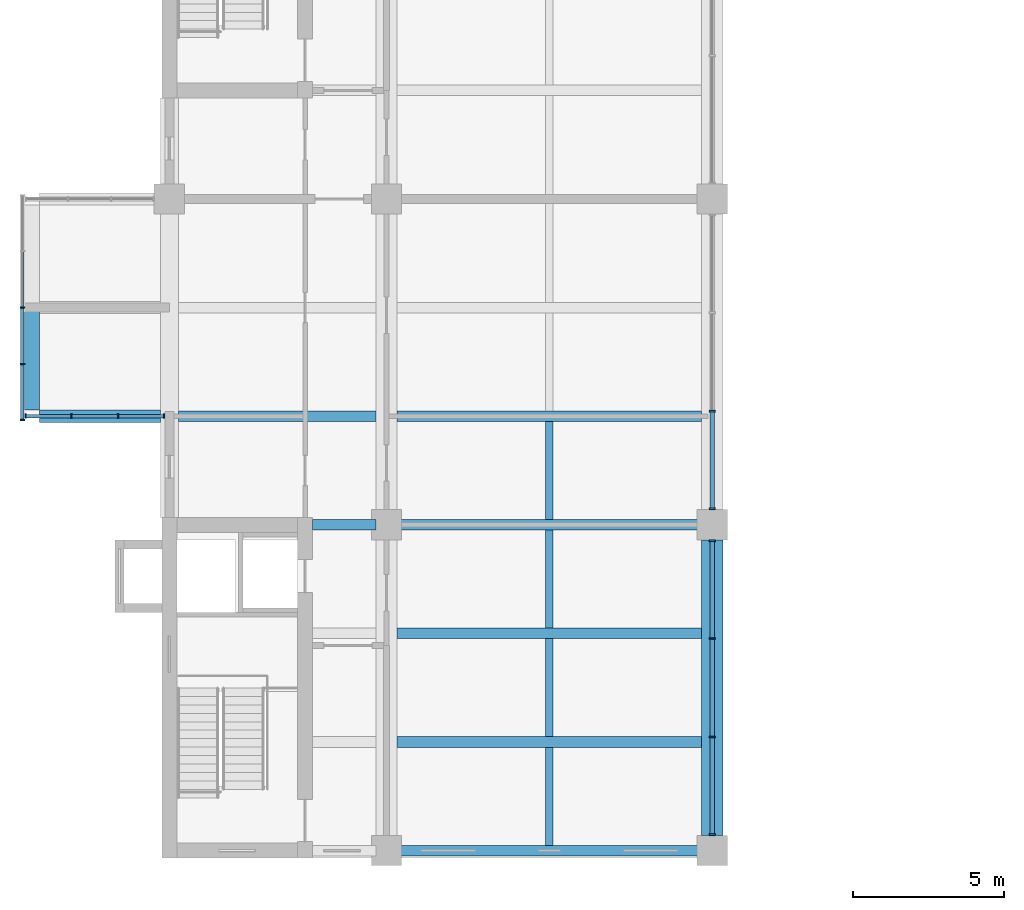
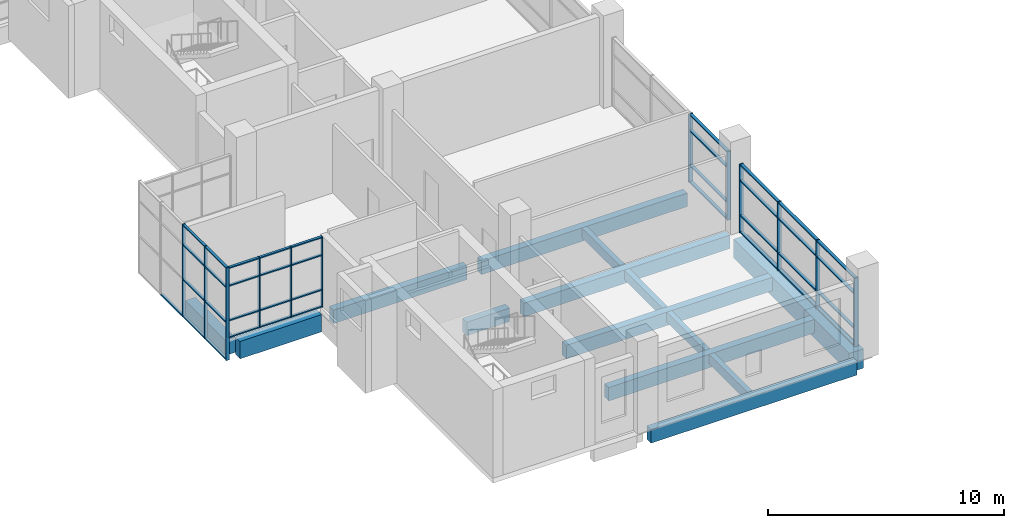
# One storey, part 2 of 35: 50 members, 14 beams, 4 elements without a shape of their own.
"""IFC4 building model written with IfcOpenShell, lengths in metres."""

from ifc_helpers import new_model, si_unit, direction, frame, origin, origin_2d, place, context, subcontext, project, spatial, rectangle, extrude, material, layer, layer_set, material_profile, profile_set, type_object, element, aggregate, save


model = new_model("IFC4")

# Units and contexts
model_context = context("Model", 3, precision=1e-05, world=origin(), true_north=direction((0.0, 1.0)))
body_context = subcontext(model_context, "Body", "Model", "MODEL_VIEW")
ifc_project = project(units=[si_unit("LENGTHUNIT", "METRE"), si_unit("AREAUNIT", "SQUARE_METRE"), si_unit("VOLUMEUNIT", "CUBIC_METRE"), si_unit("PLANEANGLEUNIT", "RADIAN"), si_unit("MASSUNIT", "GRAM", prefix="KILO")], contexts=[model_context])

# Site, building, storey
site_placement = place(None, origin())
site = spatial("IfcSite", under=ifc_project, at=site_placement, CompositionType="ELEMENT")
building_placement = place(site_placement, origin())
building = spatial("IfcBuilding", under=site, at=building_placement, Name="Basin Gate Institute", CompositionType="ELEMENT")
storey_placement = place(building_placement, frame((0.0, 0.0, 31.800048828125)))
storey = spatial("IfcBuildingStorey", under=building, at=storey_placement, Name="L06", CompositionType="ELEMENT", Elevation=31.800048828125)

# Beams
ifc_material_1 = material(Name="Concrete 40 MPa", Category="concrete")
ifc_material_profile_1 = material_profile(ifc_material_1, rectangle(XDim=0.35009765625, YDim=0.699951171875, at=origin_2d()), Name="Beam B1 350 x 700")
ifc_profile_set_1 = profile_set([ifc_material_profile_1], Name="Concrete 40 MPa")
beam_type_1 = type_object("IfcBeamType", Name="Beam B1 R120", PredefinedType="BEAM", material=ifc_profile_set_1)
for number, where, z_axis, x_axis, name in (
    (1, (68.75, 35.10009765625, -0.60009765625), (1.0, 0.0, 0.0), (0.0, 1.0, 0.0), "BEAM/L06/W/EW/01"),
    (2, (68.75, 38.699951171875, -0.60009765625), (1.0, 0.0, 0.0), (0.0, 1.0, 0.0), "BEAM/L06/W/EW/02"),
    (3, (68.75, 42.300048828125, -0.60009765625), (1.0, 0.0, 0.0), (0.0, 1.0, 0.0), "BEAM/L06/W/EW/03"),
    (4, (68.75, 45.89990234375, -0.60009765625), (1.0, 0.0, 0.0), (0.0, 1.0, 0.0), "BEAM/L06/W/EW/04"),
):
    element("IfcBeam", number, at=place(storey_placement, frame(where, z_axis=z_axis, x_axis=x_axis)), inside=storey, type_object=beam_type_1, material=ifc_profile_set_1, Name=name, PredefinedType="BEAM", context=body_context, shape_type="SweptSolid", body=[
        extrude(rectangle(XDim=0.35009765625, YDim=0.699951171875, at=origin_2d()), origin(), (0.0, 0.0, 1.0), 10.10009765625),
    ])
beam_1_placement = place(storey_placement, frame((65.949951171875, 45.89990234375, -0.60009765625), z_axis=(1.0, 0.0, 0.0), x_axis=(0.0, 1.0, 0.0)))
element("IfcBeam", 5, at=beam_1_placement, inside=storey, type_object=beam_type_1, material=ifc_profile_set_1, Name="BEAM/L06/W/CORR/04", PredefinedType="BEAM", context=body_context, shape_type="SweptSolid", body=[
    extrude(rectangle(XDim=0.35009765625, YDim=0.699951171875, at=origin_2d()), origin(), (0.0, 0.0, 1.0), 2.10009765625),
])
beam_2_placement = place(storey_placement, frame((68.75, 49.5, -0.60009765625), z_axis=(1.0, 0.0, 0.0), x_axis=(0.0, 1.0, 0.0)))
element("IfcBeam", 6, at=beam_2_placement, inside=storey, type_object=beam_type_1, material=ifc_profile_set_1, Name="BEAM/L06/W/EW/05", PredefinedType="BEAM", context=body_context, shape_type="SweptSolid", body=[
    extrude(rectangle(XDim=0.35009765625, YDim=0.699951171875, at=origin_2d()), origin(), (0.0, 0.0, 1.0), 10.10009765625),
])
beam_3_placement = place(storey_placement, frame((61.5, 49.5, -0.60009765625), z_axis=(1.0, 0.0, 0.0), x_axis=(0.0, 1.0, 0.0)))
element("IfcBeam", 7, at=beam_3_placement, inside=storey, type_object=beam_type_1, material=ifc_profile_set_1, Name="BEAM/L06/W/OUT/05", PredefinedType="BEAM", context=body_context, shape_type="SweptSolid", body=[
    extrude(rectangle(XDim=0.35009765625, YDim=0.699951171875, at=origin_2d()), origin(), (0.0, 0.0, 1.0), 6.550048828125),
])
ifc_material_2 = material(Name="Concrete 50 MPa", Category="concrete")
ifc_material_profile_2 = material_profile(ifc_material_2, rectangle(XDim=0.39990234375, YDim=0.89990234375, at=origin_2d()), Name="Cantilever beam B3 400 x 900")
ifc_profile_set_2 = profile_set([ifc_material_profile_2], Name="Concrete 50 MPa")
beam_type_2 = type_object("IfcBeamType", Name="Cantilever beam B3 R120", PredefinedType="BEAM", material=ifc_profile_set_2)
beam_4_placement = place(storey_placement, frame((56.89990234375, 49.5, -0.699951171875), z_axis=(1.0, 0.0, 0.0), x_axis=(0.0, 1.0, 0.0)))
element("IfcBeam", 8, at=beam_4_placement, inside=storey, type_object=beam_type_2, material=ifc_profile_set_2, Name="BEAM/L06/W/CANT/05", PredefinedType="BEAM", context=body_context, shape_type="SweptSolid", body=[
    extrude(rectangle(XDim=0.39990234375, YDim=0.89990234375, at=origin_2d()), origin(), (0.0, 0.0, 1.0), 4.0),
])
ifc_material_3 = material(Name="Concrete 50 MPa", Category="concrete")
ifc_material_profile_3 = material_profile(ifc_material_3, rectangle(XDim=0.699951171875, YDim=1.0, at=origin_2d()), Name="Girder G1 700 x 1000")
ifc_profile_set_3 = profile_set([ifc_material_profile_3], Name="Concrete 50 MPa")
beam_type_3 = type_object("IfcBeamType", Name="Girder G1 R120", PredefinedType="BEAM", material=ifc_profile_set_3)
beam_5_placement = place(storey_placement, frame((79.199951171875, 35.60009765625, -0.75), z_axis=(0.0, 1.0, 0.0), x_axis=(-1.0, 0.0, 0.0)))
element("IfcBeam", 9, at=beam_5_placement, inside=storey, type_object=beam_type_3, material=ifc_profile_set_3, Name="GIR/L06/W6/1", PredefinedType="BEAM", context=body_context, shape_type="SweptSolid", body=[
    extrude(rectangle(XDim=0.699951171875, YDim=1.0, at=origin_2d()), origin(), (0.0, 0.0, 1.0), 9.7998046875),
])

# Curtain wall, members
ifc_material_4 = material(Name="Aluminium-framed glazing", Category="aluminium")
ifc_layer_1 = layer(ifc_material_4, 0.14990234375)
ifc_layer_set_1 = layer_set([ifc_layer_1], Name="Capsule front curtain wall CW1")
curtain_wall_type_1 = type_object("IfcCurtainWallType", Name="Capsule front curtain wall CW1", PredefinedType="NOTDEFINED", material=ifc_layer_set_1)
curtain_wall_1_placement = place(storey_placement, origin())
curtain_wall_1 = element("IfcCurtainWall", 10, at=curtain_wall_1_placement, inside=storey, type_object=curtain_wall_type_1, material=ifc_layer_set_1, Name="Capsule front curtain wall W wing capsule end L06 line 5", PredefinedType="NOTDEFINED")
ifc_material_5 = material(Name="Aluminium", Category="aluminium")
ifc_material_profile_4 = material_profile(ifc_material_5, rectangle(XDim=0.14990234375, YDim=0.050048828125, at=origin_2d()), Name="Mullion MU1 150 x 50")
ifc_profile_set_4 = profile_set([ifc_material_profile_4], Name="Aluminium")
member_type_1 = type_object("IfcMemberType", Name="Mullion MU1", PredefinedType="MULLION", material=ifc_profile_set_4)
member_1_placement = place(storey_placement, frame((56.425048828125, 49.5, 0.0), z_axis=(0.0, 0.0, 1.0), x_axis=(0.0, 1.0, 0.0)))
member_1 = element("IfcMember", 11, at=member_1_placement, type_object=member_type_1, material=ifc_profile_set_4, Name="CW1 mullion 1", PredefinedType="MULLION", context=body_context, shape_type="SweptSolid", body=[
    extrude(rectangle(XDim=0.14990234375, YDim=0.050048828125, at=origin_2d()), origin(), (0.0, 0.0, 1.0), 3.64990234375),
])
member_2_placement = place(storey_placement, frame((57.949951171875, 49.5, 0.0), z_axis=(0.0, 0.0, 1.0), x_axis=(0.0, 1.0, 0.0)))
member_2 = element("IfcMember", 12, at=member_2_placement, type_object=member_type_1, material=ifc_profile_set_4, Name="CW1 mullion 2", PredefinedType="MULLION", context=body_context, shape_type="SweptSolid", body=[
    extrude(rectangle(XDim=0.14990234375, YDim=0.050048828125, at=origin_2d()), origin(), (0.0, 0.0, 1.0), 3.64990234375),
])
member_3_placement = place(storey_placement, frame((59.5, 49.5, 0.0), z_axis=(0.0, 0.0, 1.0), x_axis=(0.0, 1.0, 0.0)))
member_3 = element("IfcMember", 13, at=member_3_placement, type_object=member_type_1, material=ifc_profile_set_4, Name="CW1 mullion 3", PredefinedType="MULLION", context=body_context, shape_type="SweptSolid", body=[
    extrude(rectangle(XDim=0.14990234375, YDim=0.050048828125, at=origin_2d()), origin(), (0.0, 0.0, 1.0), 3.64990234375),
])
member_4_placement = place(storey_placement, frame((61.02490234375, 49.5, 0.0), z_axis=(0.0, 0.0, 1.0), x_axis=(0.0, 1.0, 0.0)))
member_4 = element("IfcMember", 14, at=member_4_placement, type_object=member_type_1, material=ifc_profile_set_4, Name="CW1 mullion 4", PredefinedType="MULLION", context=body_context, shape_type="SweptSolid", body=[
    extrude(rectangle(XDim=0.14990234375, YDim=0.050048828125, at=origin_2d()), origin(), (0.0, 0.0, 1.0), 3.64990234375),
])

curtain_wall_2_placement = place(storey_placement, origin())
curtain_wall_2 = element("IfcCurtainWall", 15, at=curtain_wall_2_placement, inside=storey, type_object=curtain_wall_type_1, material=ifc_layer_set_1, Name="Capsule front curtain wall W wing capsule 1 L06 front 2", PredefinedType="NOTDEFINED")
member_5_placement = place(storey_placement, frame((56.324951171875, 49.375, -1.050048828125), z_axis=(0.0, 0.0, 1.0), x_axis=(-1.0, 0.0, 0.0)))
member_5 = element("IfcMember", 16, at=member_5_placement, type_object=member_type_1, material=ifc_profile_set_4, Name="CW1 mullion 1", PredefinedType="MULLION", context=body_context, shape_type="SweptSolid", body=[
    extrude(rectangle(XDim=0.14990234375, YDim=0.050048828125, at=origin_2d()), origin(), (0.0, 0.0, 1.0), 4.800048828125),
])
member_6_placement = place(storey_placement, frame((56.324951171875, 51.22509765625, -1.050048828125), z_axis=(0.0, 0.0, 1.0), x_axis=(-1.0, 0.0, 0.0)))
member_6 = element("IfcMember", 17, at=member_6_placement, type_object=member_type_1, material=ifc_profile_set_4, Name="CW1 mullion 2", PredefinedType="MULLION", context=body_context, shape_type="SweptSolid", body=[
    extrude(rectangle(XDim=0.14990234375, YDim=0.050048828125, at=origin_2d()), origin(), (0.0, 0.0, 1.0), 4.800048828125),
])
member_7_placement = place(storey_placement, frame((56.324951171875, 53.10009765625, -1.050048828125), z_axis=(0.0, 0.0, 1.0), x_axis=(-1.0, 0.0, 0.0)))
member_7 = element("IfcMember", 18, at=member_7_placement, type_object=member_type_1, material=ifc_profile_set_4, Name="CW1 mullion 3", PredefinedType="MULLION", context=body_context, shape_type="SweptSolid", body=[
    extrude(rectangle(XDim=0.14990234375, YDim=0.050048828125, at=origin_2d()), origin(), (0.0, 0.0, 1.0), 4.800048828125),
])

ifc_material_6 = material(Name="Aluminium-framed glazing", Category="aluminium")
ifc_layer_2 = layer(ifc_material_6, 0.199951171875)
ifc_layer_set_2 = layer_set([ifc_layer_2], Name="Atrium curtain wall CW2")
curtain_wall_type_2 = type_object("IfcCurtainWallType", Name="Atrium curtain wall CW2", PredefinedType="NOTDEFINED", material=ifc_layer_set_2)
curtain_wall_3_placement = place(storey_placement, origin())
curtain_wall_3 = element("IfcCurtainWall", 19, at=curtain_wall_3_placement, inside=storey, type_object=curtain_wall_type_2, material=ifc_layer_set_2, Name="Atrium curtain wall W wing atrium bay 1 L06", PredefinedType="NOTDEFINED")
ifc_material_7 = material(Name="Aluminium", Category="aluminium")
ifc_material_profile_5 = material_profile(ifc_material_7, rectangle(XDim=0.199951171875, YDim=0.06005859375, at=origin_2d()), Name="Mullion MU2 200 x 60")
ifc_profile_set_5 = profile_set([ifc_material_profile_5], Name="Aluminium")
member_type_2 = type_object("IfcMemberType", Name="Mullion MU2", PredefinedType="MULLION", material=ifc_profile_set_5)
member_8_placement = place(storey_placement, frame((79.199951171875, 35.6298828125, 0.0), z_axis=(0.0, 0.0, 1.0), x_axis=(-1.0, 0.0, 0.0)))
member_8 = element("IfcMember", 20, at=member_8_placement, type_object=member_type_2, material=ifc_profile_set_5, Name="CW2 mullion 1", PredefinedType="MULLION", context=body_context, shape_type="SweptSolid", body=[
    extrude(rectangle(XDim=0.199951171875, YDim=0.06005859375, at=origin_2d()), origin(), (0.0, 0.0, 1.0), 3.550048828125),
])
member_9_placement = place(storey_placement, frame((79.199951171875, 38.86669921875, 0.0), z_axis=(0.0, 0.0, 1.0), x_axis=(-1.0, 0.0, 0.0)))
member_9 = element("IfcMember", 21, at=member_9_placement, type_object=member_type_2, material=ifc_profile_set_5, Name="CW2 mullion 2", PredefinedType="MULLION", context=body_context, shape_type="SweptSolid", body=[
    extrude(rectangle(XDim=0.199951171875, YDim=0.06005859375, at=origin_2d()), origin(), (0.0, 0.0, 1.0), 3.550048828125),
])
member_10_placement = place(storey_placement, frame((79.199951171875, 42.13330078125, 0.0), z_axis=(0.0, 0.0, 1.0), x_axis=(-1.0, 0.0, 0.0)))
member_10 = element("IfcMember", 22, at=member_10_placement, type_object=member_type_2, material=ifc_profile_set_5, Name="CW2 mullion 3", PredefinedType="MULLION", context=body_context, shape_type="SweptSolid", body=[
    extrude(rectangle(XDim=0.199951171875, YDim=0.06005859375, at=origin_2d()), origin(), (0.0, 0.0, 1.0), 3.550048828125),
])
member_11_placement = place(storey_placement, frame((79.199951171875, 45.3701171875, 0.0), z_axis=(0.0, 0.0, 1.0), x_axis=(-1.0, 0.0, 0.0)))
member_11 = element("IfcMember", 23, at=member_11_placement, type_object=member_type_2, material=ifc_profile_set_5, Name="CW2 mullion 4", PredefinedType="MULLION", context=body_context, shape_type="SweptSolid", body=[
    extrude(rectangle(XDim=0.199951171875, YDim=0.06005859375, at=origin_2d()), origin(), (0.0, 0.0, 1.0), 3.550048828125),
])

curtain_wall_4_placement = place(storey_placement, origin())
curtain_wall_4 = element("IfcCurtainWall", 24, at=curtain_wall_4_placement, inside=storey, type_object=curtain_wall_type_2, material=ifc_layer_set_2, Name="Atrium curtain wall W wing atrium bay 2 L06", PredefinedType="NOTDEFINED")
member_12_placement = place(storey_placement, frame((79.199951171875, 46.429931640625, 0.0), z_axis=(0.0, 0.0, 1.0), x_axis=(-1.0, 0.0, 0.0)))
member_12 = element("IfcMember", 25, at=member_12_placement, type_object=member_type_2, material=ifc_profile_set_5, Name="CW2 mullion 1", PredefinedType="MULLION", context=body_context, shape_type="SweptSolid", body=[
    extrude(rectangle(XDim=0.199951171875, YDim=0.06005859375, at=origin_2d()), origin(), (0.0, 0.0, 1.0), 3.550048828125),
])
member_13_placement = place(storey_placement, frame((79.199951171875, 49.666748046875, 0.0), z_axis=(0.0, 0.0, 1.0), x_axis=(-1.0, 0.0, 0.0)))
member_13 = element("IfcMember", 26, at=member_13_placement, type_object=member_type_2, material=ifc_profile_set_5, Name="CW2 mullion 2", PredefinedType="MULLION", context=body_context, shape_type="SweptSolid", body=[
    extrude(rectangle(XDim=0.199951171875, YDim=0.06005859375, at=origin_2d()), origin(), (0.0, 0.0, 1.0), 3.550048828125),
])

# Beams
ifc_material_8 = material(Name="Concrete 40 MPa", Category="concrete")
ifc_material_profile_6 = material_profile(ifc_material_8, rectangle(XDim=0.25, YDim=0.5, at=origin_2d()), Name="Rib R1 250 x 500")
ifc_profile_set_6 = profile_set([ifc_material_profile_6], Name="Concrete 40 MPa")
beam_type_4 = type_object("IfcBeamType", Name="Rib R1 R120", PredefinedType="JOIST", material=ifc_profile_set_6)
for number, where, z_axis, x_axis, name in (
    (27, (73.800048828125, 35.27490234375, -0.5), (0.0, 1.0, 0.0), (-1.0, 0.0, 0.0), "BEAM/L06/W/RIB/01"),
    (28, (73.800048828125, 38.875, -0.5), (0.0, 1.0, 0.0), (-1.0, 0.0, 0.0), "BEAM/L06/W/RIB/02"),
    (29, (73.800048828125, 42.47509765625, -0.5), (0.0, 1.0, 0.0), (-1.0, 0.0, 0.0), "BEAM/L06/W/RIB/03"),
    (30, (73.800048828125, 46.074951171875, -0.5), (0.0, 1.0, 0.0), (-1.0, 0.0, 0.0), "BEAM/L06/W/RIB/04"),
):
    element("IfcBeam", number, at=place(storey_placement, frame(where, z_axis=z_axis, x_axis=x_axis)), inside=storey, type_object=beam_type_4, material=ifc_profile_set_6, Name=name, PredefinedType="JOIST", context=body_context, shape_type="SweptSolid", body=[
        extrude(rectangle(XDim=0.25, YDim=0.5, at=origin_2d()), origin(), (0.0, 0.0, 1.0), 3.25),
    ])
ifc_material_9 = material(Name="Concrete 50 MPa", Category="concrete")
ifc_material_profile_7 = material_profile(ifc_material_9, rectangle(XDim=0.5, YDim=0.800048828125, at=origin_2d()), Name="Tip beam TB1 500 x 800")
ifc_profile_set_7 = profile_set([ifc_material_profile_7], Name="Concrete 50 MPa")
beam_type_5 = type_object("IfcBeamType", Name="Tip beam TB1 R120", PredefinedType="SPANDREL", material=ifc_profile_set_7)
beam_6_placement = place(storey_placement, frame((56.64990234375, 49.699951171875, -0.650146484375), z_axis=(0.0, 1.0, 0.0), x_axis=(-1.0, 0.0, 0.0)))
element("IfcBeam", 31, at=beam_6_placement, inside=storey, type_object=beam_type_5, material=ifc_profile_set_7, Name="BEAM/L06/W/TIP/2", PredefinedType="SPANDREL", context=body_context, shape_type="SweptSolid", body=[
    extrude(rectangle(XDim=0.5, YDim=0.800048828125, at=origin_2d()), origin(), (0.0, 0.0, 1.0), 3.400146484375),
])

# Member
ifc_material_10 = material(Name="Aluminium", Category="aluminium")
ifc_material_profile_8 = material_profile(ifc_material_10, rectangle(XDim=0.1201171875, YDim=0.06005859375, at=origin_2d()), Name="Transom TR1 120 x 60")
ifc_profile_set_8 = profile_set([ifc_material_profile_8], Name="Aluminium")
member_type_3 = type_object("IfcMemberType", Name="Transom TR1", PredefinedType="USERDEFINED", material=ifc_profile_set_8)
member_14_placement = place(storey_placement, frame((56.449951171875, 49.5, 0.030029296875), z_axis=(1.0, 0.0, 0.0), x_axis=(0.0, 1.0, 0.0)))
member_14 = element("IfcMember", 32, at=member_14_placement, type_object=member_type_3, material=ifc_profile_set_8, Name="CW1 transom 1.1", ObjectType="TRANSOM", PredefinedType="USERDEFINED", context=body_context, shape_type="SweptSolid", body=[
    extrude(rectangle(XDim=0.1201171875, YDim=0.06005859375, at=origin_2d()), origin(), (0.0, 0.0, 1.0), 1.47509765625),
])

member_15_placement = place(storey_placement, frame((56.449951171875, 49.5, 0.89990234375), z_axis=(1.0, 0.0, 0.0), x_axis=(0.0, 1.0, 0.0)))
member_15 = element("IfcMember", 33, at=member_15_placement, type_object=member_type_3, material=ifc_profile_set_8, Name="CW1 transom 1.2", ObjectType="TRANSOM", PredefinedType="USERDEFINED", context=body_context, shape_type="SweptSolid", body=[
    extrude(rectangle(XDim=0.1201171875, YDim=0.06005859375, at=origin_2d()), origin(), (0.0, 0.0, 1.0), 1.47509765625),
])

member_16_placement = place(storey_placement, frame((56.449951171875, 49.5, 2.699951171875), z_axis=(1.0, 0.0, 0.0), x_axis=(0.0, 1.0, 0.0)))
member_16 = element("IfcMember", 34, at=member_16_placement, type_object=member_type_3, material=ifc_profile_set_8, Name="CW1 transom 1.3", ObjectType="TRANSOM", PredefinedType="USERDEFINED", context=body_context, shape_type="SweptSolid", body=[
    extrude(rectangle(XDim=0.1201171875, YDim=0.06005859375, at=origin_2d()), origin(), (0.0, 0.0, 1.0), 1.47509765625),
])

member_17_placement = place(storey_placement, frame((56.449951171875, 49.5, 3.619873046875), z_axis=(1.0, 0.0, 0.0), x_axis=(0.0, 1.0, 0.0)))
member_17 = element("IfcMember", 35, at=member_17_placement, type_object=member_type_3, material=ifc_profile_set_8, Name="CW1 transom 1.4", ObjectType="TRANSOM", PredefinedType="USERDEFINED", context=body_context, shape_type="SweptSolid", body=[
    extrude(rectangle(XDim=0.1201171875, YDim=0.06005859375, at=origin_2d()), origin(), (0.0, 0.0, 1.0), 1.47509765625),
])

member_18_placement = place(storey_placement, frame((57.97509765625, 49.5, 0.030029296875), z_axis=(1.0, 0.0, 0.0), x_axis=(0.0, 1.0, 0.0)))
member_18 = element("IfcMember", 36, at=member_18_placement, type_object=member_type_3, material=ifc_profile_set_8, Name="CW1 transom 2.1", ObjectType="TRANSOM", PredefinedType="USERDEFINED", context=body_context, shape_type="SweptSolid", body=[
    extrude(rectangle(XDim=0.1201171875, YDim=0.06005859375, at=origin_2d()), origin(), (0.0, 0.0, 1.0), 1.5),
])

member_19_placement = place(storey_placement, frame((57.97509765625, 49.5, 0.89990234375), z_axis=(1.0, 0.0, 0.0), x_axis=(0.0, 1.0, 0.0)))
member_19 = element("IfcMember", 37, at=member_19_placement, type_object=member_type_3, material=ifc_profile_set_8, Name="CW1 transom 2.2", ObjectType="TRANSOM", PredefinedType="USERDEFINED", context=body_context, shape_type="SweptSolid", body=[
    extrude(rectangle(XDim=0.1201171875, YDim=0.06005859375, at=origin_2d()), origin(), (0.0, 0.0, 1.0), 1.5),
])

member_20_placement = place(storey_placement, frame((57.97509765625, 49.5, 2.699951171875), z_axis=(1.0, 0.0, 0.0), x_axis=(0.0, 1.0, 0.0)))
member_20 = element("IfcMember", 38, at=member_20_placement, type_object=member_type_3, material=ifc_profile_set_8, Name="CW1 transom 2.3", ObjectType="TRANSOM", PredefinedType="USERDEFINED", context=body_context, shape_type="SweptSolid", body=[
    extrude(rectangle(XDim=0.1201171875, YDim=0.06005859375, at=origin_2d()), origin(), (0.0, 0.0, 1.0), 1.5),
])

member_21_placement = place(storey_placement, frame((57.97509765625, 49.5, 3.619873046875), z_axis=(1.0, 0.0, 0.0), x_axis=(0.0, 1.0, 0.0)))
member_21 = element("IfcMember", 39, at=member_21_placement, type_object=member_type_3, material=ifc_profile_set_8, Name="CW1 transom 2.4", ObjectType="TRANSOM", PredefinedType="USERDEFINED", context=body_context, shape_type="SweptSolid", body=[
    extrude(rectangle(XDim=0.1201171875, YDim=0.06005859375, at=origin_2d()), origin(), (0.0, 0.0, 1.0), 1.5),
])

member_22_placement = place(storey_placement, frame((59.52490234375, 49.5, 0.030029296875), z_axis=(1.0, 0.0, 0.0), x_axis=(0.0, 1.0, 0.0)))
member_22 = element("IfcMember", 40, at=member_22_placement, type_object=member_type_3, material=ifc_profile_set_8, Name="CW1 transom 3.1", ObjectType="TRANSOM", PredefinedType="USERDEFINED", context=body_context, shape_type="SweptSolid", body=[
    extrude(rectangle(XDim=0.1201171875, YDim=0.06005859375, at=origin_2d()), origin(), (0.0, 0.0, 1.0), 1.47509765625),
])

member_23_placement = place(storey_placement, frame((59.52490234375, 49.5, 0.89990234375), z_axis=(1.0, 0.0, 0.0), x_axis=(0.0, 1.0, 0.0)))
member_23 = element("IfcMember", 41, at=member_23_placement, type_object=member_type_3, material=ifc_profile_set_8, Name="CW1 transom 3.2", ObjectType="TRANSOM", PredefinedType="USERDEFINED", context=body_context, shape_type="SweptSolid", body=[
    extrude(rectangle(XDim=0.1201171875, YDim=0.06005859375, at=origin_2d()), origin(), (0.0, 0.0, 1.0), 1.47509765625),
])

member_24_placement = place(storey_placement, frame((59.52490234375, 49.5, 2.699951171875), z_axis=(1.0, 0.0, 0.0), x_axis=(0.0, 1.0, 0.0)))
member_24 = element("IfcMember", 42, at=member_24_placement, type_object=member_type_3, material=ifc_profile_set_8, Name="CW1 transom 3.3", ObjectType="TRANSOM", PredefinedType="USERDEFINED", context=body_context, shape_type="SweptSolid", body=[
    extrude(rectangle(XDim=0.1201171875, YDim=0.06005859375, at=origin_2d()), origin(), (0.0, 0.0, 1.0), 1.47509765625),
])

member_25_placement = place(storey_placement, frame((59.52490234375, 49.5, 3.619873046875), z_axis=(1.0, 0.0, 0.0), x_axis=(0.0, 1.0, 0.0)))
member_25 = element("IfcMember", 43, at=member_25_placement, type_object=member_type_3, material=ifc_profile_set_8, Name="CW1 transom 3.4", ObjectType="TRANSOM", PredefinedType="USERDEFINED", context=body_context, shape_type="SweptSolid", body=[
    extrude(rectangle(XDim=0.1201171875, YDim=0.06005859375, at=origin_2d()), origin(), (0.0, 0.0, 1.0), 1.47509765625),
])

aggregate(curtain_wall_1, [member_1, member_2, member_3, member_4, member_14, member_15, member_16, member_17, member_18, member_19, member_20, member_21, member_22, member_23, member_24, member_25])

member_26_placement = place(storey_placement, frame((56.324951171875, 49.39990234375, -1.02001953125), z_axis=(0.0, 1.0, 0.0), x_axis=(-1.0, 0.0, 0.0)))
member_26 = element("IfcMember", 44, at=member_26_placement, type_object=member_type_3, material=ifc_profile_set_8, Name="CW1 transom 1.1", ObjectType="TRANSOM", PredefinedType="USERDEFINED", context=body_context, shape_type="SweptSolid", body=[
    extrude(rectangle(XDim=0.1201171875, YDim=0.06005859375, at=origin_2d()), origin(), (0.0, 0.0, 1.0), 1.800048828125),
])

member_27_placement = place(storey_placement, frame((56.324951171875, 49.39990234375, 0.89990234375), z_axis=(0.0, 1.0, 0.0), x_axis=(-1.0, 0.0, 0.0)))
member_27 = element("IfcMember", 45, at=member_27_placement, type_object=member_type_3, material=ifc_profile_set_8, Name="CW1 transom 1.2", ObjectType="TRANSOM", PredefinedType="USERDEFINED", context=body_context, shape_type="SweptSolid", body=[
    extrude(rectangle(XDim=0.1201171875, YDim=0.06005859375, at=origin_2d()), origin(), (0.0, 0.0, 1.0), 1.800048828125),
])

member_28_placement = place(storey_placement, frame((56.324951171875, 49.39990234375, 2.699951171875), z_axis=(0.0, 1.0, 0.0), x_axis=(-1.0, 0.0, 0.0)))
member_28 = element("IfcMember", 46, at=member_28_placement, type_object=member_type_3, material=ifc_profile_set_8, Name="CW1 transom 1.3", ObjectType="TRANSOM", PredefinedType="USERDEFINED", context=body_context, shape_type="SweptSolid", body=[
    extrude(rectangle(XDim=0.1201171875, YDim=0.06005859375, at=origin_2d()), origin(), (0.0, 0.0, 1.0), 1.800048828125),
])

member_29_placement = place(storey_placement, frame((56.324951171875, 49.39990234375, 3.719970703125), z_axis=(0.0, 1.0, 0.0), x_axis=(-1.0, 0.0, 0.0)))
member_29 = element("IfcMember", 47, at=member_29_placement, type_object=member_type_3, material=ifc_profile_set_8, Name="CW1 transom 1.4", ObjectType="TRANSOM", PredefinedType="USERDEFINED", context=body_context, shape_type="SweptSolid", body=[
    extrude(rectangle(XDim=0.1201171875, YDim=0.06005859375, at=origin_2d()), origin(), (0.0, 0.0, 1.0), 1.800048828125),
])

member_30_placement = place(storey_placement, frame((56.324951171875, 51.25, -1.02001953125), z_axis=(0.0, 1.0, 0.0), x_axis=(-1.0, 0.0, 0.0)))
member_30 = element("IfcMember", 48, at=member_30_placement, type_object=member_type_3, material=ifc_profile_set_8, Name="CW1 transom 2.1", ObjectType="TRANSOM", PredefinedType="USERDEFINED", context=body_context, shape_type="SweptSolid", body=[
    extrude(rectangle(XDim=0.1201171875, YDim=0.06005859375, at=origin_2d()), origin(), (0.0, 0.0, 1.0), 1.824951171875),
])

member_31_placement = place(storey_placement, frame((56.324951171875, 51.25, 0.89990234375), z_axis=(0.0, 1.0, 0.0), x_axis=(-1.0, 0.0, 0.0)))
member_31 = element("IfcMember", 49, at=member_31_placement, type_object=member_type_3, material=ifc_profile_set_8, Name="CW1 transom 2.2", ObjectType="TRANSOM", PredefinedType="USERDEFINED", context=body_context, shape_type="SweptSolid", body=[
    extrude(rectangle(XDim=0.1201171875, YDim=0.06005859375, at=origin_2d()), origin(), (0.0, 0.0, 1.0), 1.824951171875),
])

member_32_placement = place(storey_placement, frame((56.324951171875, 51.25, 2.699951171875), z_axis=(0.0, 1.0, 0.0), x_axis=(-1.0, 0.0, 0.0)))
member_32 = element("IfcMember", 50, at=member_32_placement, type_object=member_type_3, material=ifc_profile_set_8, Name="CW1 transom 2.3", ObjectType="TRANSOM", PredefinedType="USERDEFINED", context=body_context, shape_type="SweptSolid", body=[
    extrude(rectangle(XDim=0.1201171875, YDim=0.06005859375, at=origin_2d()), origin(), (0.0, 0.0, 1.0), 1.824951171875),
])

member_33_placement = place(storey_placement, frame((56.324951171875, 51.25, 3.719970703125), z_axis=(0.0, 1.0, 0.0), x_axis=(-1.0, 0.0, 0.0)))
member_33 = element("IfcMember", 51, at=member_33_placement, type_object=member_type_3, material=ifc_profile_set_8, Name="CW1 transom 2.4", ObjectType="TRANSOM", PredefinedType="USERDEFINED", context=body_context, shape_type="SweptSolid", body=[
    extrude(rectangle(XDim=0.1201171875, YDim=0.06005859375, at=origin_2d()), origin(), (0.0, 0.0, 1.0), 1.824951171875),
])

member_34_placement = place(storey_placement, frame((56.324951171875, 53.125, -1.02001953125), z_axis=(0.0, 1.0, 0.0), x_axis=(-1.0, 0.0, 0.0)))
member_34 = element("IfcMember", 52, at=member_34_placement, type_object=member_type_3, material=ifc_profile_set_8, Name="CW1 transom 3.1", ObjectType="TRANSOM", PredefinedType="USERDEFINED", context=body_context, shape_type="SweptSolid", body=[
    extrude(rectangle(XDim=0.1201171875, YDim=0.06005859375, at=origin_2d()), origin(), (0.0, 0.0, 1.0), 1.824951171875),
])

aggregate(curtain_wall_2, [member_5, member_6, member_7, member_26, member_27, member_28, member_29, member_30, member_31, member_32, member_33, member_34])

ifc_material_11 = material(Name="Aluminium", Category="aluminium")
ifc_material_profile_9 = material_profile(ifc_material_11, rectangle(XDim=0.14990234375, YDim=0.06005859375, at=origin_2d()), Name="Transom TR2 150 x 60")
ifc_profile_set_9 = profile_set([ifc_material_profile_9], Name="Aluminium")
member_type_4 = type_object("IfcMemberType", Name="Transom TR2", PredefinedType="USERDEFINED", material=ifc_profile_set_9)
member_35_placement = place(storey_placement, frame((79.199951171875, 35.659912109375, 0.030029296875), z_axis=(0.0, 1.0, 0.0), x_axis=(-1.0, 0.0, 0.0)))
member_35 = element("IfcMember", 53, at=member_35_placement, type_object=member_type_4, material=ifc_profile_set_9, Name="CW2 transom 1.1", ObjectType="TRANSOM", PredefinedType="USERDEFINED", context=body_context, shape_type="SweptSolid", body=[
    extrude(rectangle(XDim=0.14990234375, YDim=0.06005859375, at=origin_2d()), origin(), (0.0, 0.0, 1.0), 3.1767578125),
])

member_36_placement = place(storey_placement, frame((79.199951171875, 35.659912109375, 0.89990234375), z_axis=(0.0, 1.0, 0.0), x_axis=(-1.0, 0.0, 0.0)))
member_36 = element("IfcMember", 54, at=member_36_placement, type_object=member_type_4, material=ifc_profile_set_9, Name="CW2 transom 1.2", ObjectType="TRANSOM", PredefinedType="USERDEFINED", context=body_context, shape_type="SweptSolid", body=[
    extrude(rectangle(XDim=0.14990234375, YDim=0.06005859375, at=origin_2d()), origin(), (0.0, 0.0, 1.0), 3.1767578125),
])

member_37_placement = place(storey_placement, frame((79.199951171875, 35.659912109375, 2.699951171875), z_axis=(0.0, 1.0, 0.0), x_axis=(-1.0, 0.0, 0.0)))
member_37 = element("IfcMember", 55, at=member_37_placement, type_object=member_type_4, material=ifc_profile_set_9, Name="CW2 transom 1.3", ObjectType="TRANSOM", PredefinedType="USERDEFINED", context=body_context, shape_type="SweptSolid", body=[
    extrude(rectangle(XDim=0.14990234375, YDim=0.06005859375, at=origin_2d()), origin(), (0.0, 0.0, 1.0), 3.1767578125),
])

member_38_placement = place(storey_placement, frame((79.199951171875, 35.659912109375, 3.52001953125), z_axis=(0.0, 1.0, 0.0), x_axis=(-1.0, 0.0, 0.0)))
member_38 = element("IfcMember", 56, at=member_38_placement, type_object=member_type_4, material=ifc_profile_set_9, Name="CW2 transom 1.4", ObjectType="TRANSOM", PredefinedType="USERDEFINED", context=body_context, shape_type="SweptSolid", body=[
    extrude(rectangle(XDim=0.14990234375, YDim=0.06005859375, at=origin_2d()), origin(), (0.0, 0.0, 1.0), 3.1767578125),
])

member_39_placement = place(storey_placement, frame((79.199951171875, 38.896728515625, 0.030029296875), z_axis=(0.0, 1.0, 0.0), x_axis=(-1.0, 0.0, 0.0)))
member_39 = element("IfcMember", 57, at=member_39_placement, type_object=member_type_4, material=ifc_profile_set_9, Name="CW2 transom 2.1", ObjectType="TRANSOM", PredefinedType="USERDEFINED", context=body_context, shape_type="SweptSolid", body=[
    extrude(rectangle(XDim=0.14990234375, YDim=0.06005859375, at=origin_2d()), origin(), (0.0, 0.0, 1.0), 3.20654296875),
])

member_40_placement = place(storey_placement, frame((79.199951171875, 38.896728515625, 0.89990234375), z_axis=(0.0, 1.0, 0.0), x_axis=(-1.0, 0.0, 0.0)))
member_40 = element("IfcMember", 58, at=member_40_placement, type_object=member_type_4, material=ifc_profile_set_9, Name="CW2 transom 2.2", ObjectType="TRANSOM", PredefinedType="USERDEFINED", context=body_context, shape_type="SweptSolid", body=[
    extrude(rectangle(XDim=0.14990234375, YDim=0.06005859375, at=origin_2d()), origin(), (0.0, 0.0, 1.0), 3.20654296875),
])

member_41_placement = place(storey_placement, frame((79.199951171875, 38.896728515625, 2.699951171875), z_axis=(0.0, 1.0, 0.0), x_axis=(-1.0, 0.0, 0.0)))
member_41 = element("IfcMember", 59, at=member_41_placement, type_object=member_type_4, material=ifc_profile_set_9, Name="CW2 transom 2.3", ObjectType="TRANSOM", PredefinedType="USERDEFINED", context=body_context, shape_type="SweptSolid", body=[
    extrude(rectangle(XDim=0.14990234375, YDim=0.06005859375, at=origin_2d()), origin(), (0.0, 0.0, 1.0), 3.20654296875),
])

member_42_placement = place(storey_placement, frame((79.199951171875, 38.896728515625, 3.52001953125), z_axis=(0.0, 1.0, 0.0), x_axis=(-1.0, 0.0, 0.0)))
member_42 = element("IfcMember", 60, at=member_42_placement, type_object=member_type_4, material=ifc_profile_set_9, Name="CW2 transom 2.4", ObjectType="TRANSOM", PredefinedType="USERDEFINED", context=body_context, shape_type="SweptSolid", body=[
    extrude(rectangle(XDim=0.14990234375, YDim=0.06005859375, at=origin_2d()), origin(), (0.0, 0.0, 1.0), 3.20654296875),
])

member_43_placement = place(storey_placement, frame((79.199951171875, 42.163330078125, 0.030029296875), z_axis=(0.0, 1.0, 0.0), x_axis=(-1.0, 0.0, 0.0)))
member_43 = element("IfcMember", 61, at=member_43_placement, type_object=member_type_4, material=ifc_profile_set_9, Name="CW2 transom 3.1", ObjectType="TRANSOM", PredefinedType="USERDEFINED", context=body_context, shape_type="SweptSolid", body=[
    extrude(rectangle(XDim=0.14990234375, YDim=0.06005859375, at=origin_2d()), origin(), (0.0, 0.0, 1.0), 3.1767578125),
])

member_44_placement = place(storey_placement, frame((79.199951171875, 42.163330078125, 0.89990234375), z_axis=(0.0, 1.0, 0.0), x_axis=(-1.0, 0.0, 0.0)))
member_44 = element("IfcMember", 62, at=member_44_placement, type_object=member_type_4, material=ifc_profile_set_9, Name="CW2 transom 3.2", ObjectType="TRANSOM", PredefinedType="USERDEFINED", context=body_context, shape_type="SweptSolid", body=[
    extrude(rectangle(XDim=0.14990234375, YDim=0.06005859375, at=origin_2d()), origin(), (0.0, 0.0, 1.0), 3.1767578125),
])

member_45_placement = place(storey_placement, frame((79.199951171875, 42.163330078125, 2.699951171875), z_axis=(0.0, 1.0, 0.0), x_axis=(-1.0, 0.0, 0.0)))
member_45 = element("IfcMember", 63, at=member_45_placement, type_object=member_type_4, material=ifc_profile_set_9, Name="CW2 transom 3.3", ObjectType="TRANSOM", PredefinedType="USERDEFINED", context=body_context, shape_type="SweptSolid", body=[
    extrude(rectangle(XDim=0.14990234375, YDim=0.06005859375, at=origin_2d()), origin(), (0.0, 0.0, 1.0), 3.1767578125),
])

member_46_placement = place(storey_placement, frame((79.199951171875, 42.163330078125, 3.52001953125), z_axis=(0.0, 1.0, 0.0), x_axis=(-1.0, 0.0, 0.0)))
member_46 = element("IfcMember", 64, at=member_46_placement, type_object=member_type_4, material=ifc_profile_set_9, Name="CW2 transom 3.4", ObjectType="TRANSOM", PredefinedType="USERDEFINED", context=body_context, shape_type="SweptSolid", body=[
    extrude(rectangle(XDim=0.14990234375, YDim=0.06005859375, at=origin_2d()), origin(), (0.0, 0.0, 1.0), 3.1767578125),
])

aggregate(curtain_wall_3, [member_8, member_9, member_10, member_11, member_35, member_36, member_37, member_38, member_39, member_40, member_41, member_42, member_43, member_44, member_45, member_46])

member_47_placement = place(storey_placement, frame((79.199951171875, 46.4599609375, 0.030029296875), z_axis=(0.0, 1.0, 0.0), x_axis=(-1.0, 0.0, 0.0)))
member_47 = element("IfcMember", 65, at=member_47_placement, type_object=member_type_4, material=ifc_profile_set_9, Name="CW2 transom 1.1", ObjectType="TRANSOM", PredefinedType="USERDEFINED", context=body_context, shape_type="SweptSolid", body=[
    extrude(rectangle(XDim=0.14990234375, YDim=0.06005859375, at=origin_2d()), origin(), (0.0, 0.0, 1.0), 3.1767578125),
])

member_48_placement = place(storey_placement, frame((79.199951171875, 46.4599609375, 0.89990234375), z_axis=(0.0, 1.0, 0.0), x_axis=(-1.0, 0.0, 0.0)))
member_48 = element("IfcMember", 66, at=member_48_placement, type_object=member_type_4, material=ifc_profile_set_9, Name="CW2 transom 1.2", ObjectType="TRANSOM", PredefinedType="USERDEFINED", context=body_context, shape_type="SweptSolid", body=[
    extrude(rectangle(XDim=0.14990234375, YDim=0.06005859375, at=origin_2d()), origin(), (0.0, 0.0, 1.0), 3.1767578125),
])

member_49_placement = place(storey_placement, frame((79.199951171875, 46.4599609375, 2.699951171875), z_axis=(0.0, 1.0, 0.0), x_axis=(-1.0, 0.0, 0.0)))
member_49 = element("IfcMember", 67, at=member_49_placement, type_object=member_type_4, material=ifc_profile_set_9, Name="CW2 transom 1.3", ObjectType="TRANSOM", PredefinedType="USERDEFINED", context=body_context, shape_type="SweptSolid", body=[
    extrude(rectangle(XDim=0.14990234375, YDim=0.06005859375, at=origin_2d()), origin(), (0.0, 0.0, 1.0), 3.1767578125),
])

member_50_placement = place(storey_placement, frame((79.199951171875, 46.4599609375, 3.52001953125), z_axis=(0.0, 1.0, 0.0), x_axis=(-1.0, 0.0, 0.0)))
member_50 = element("IfcMember", 68, at=member_50_placement, type_object=member_type_4, material=ifc_profile_set_9, Name="CW2 transom 1.4", ObjectType="TRANSOM", PredefinedType="USERDEFINED", context=body_context, shape_type="SweptSolid", body=[
    extrude(rectangle(XDim=0.14990234375, YDim=0.06005859375, at=origin_2d()), origin(), (0.0, 0.0, 1.0), 3.1767578125),
])

aggregate(curtain_wall_4, [member_12, member_13, member_47, member_48, member_49, member_50])

save(model, "model.ifc")
